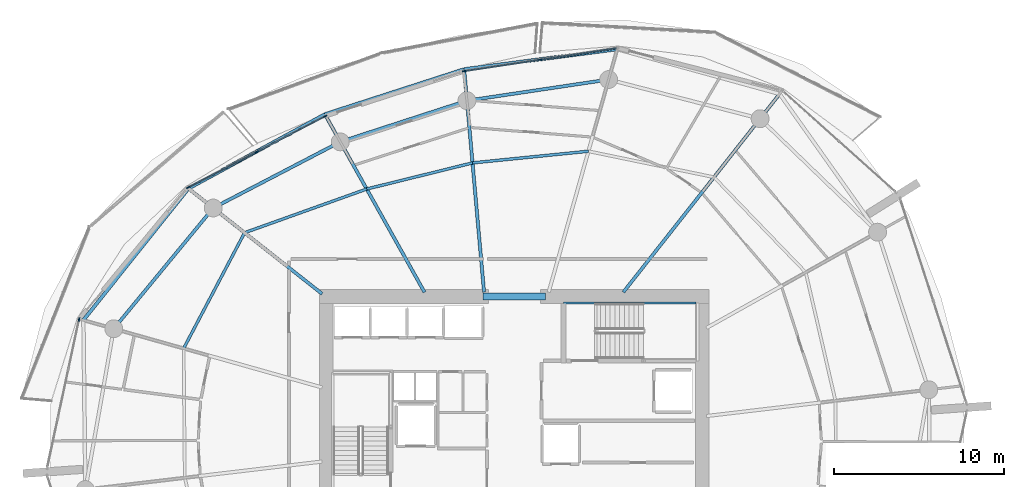
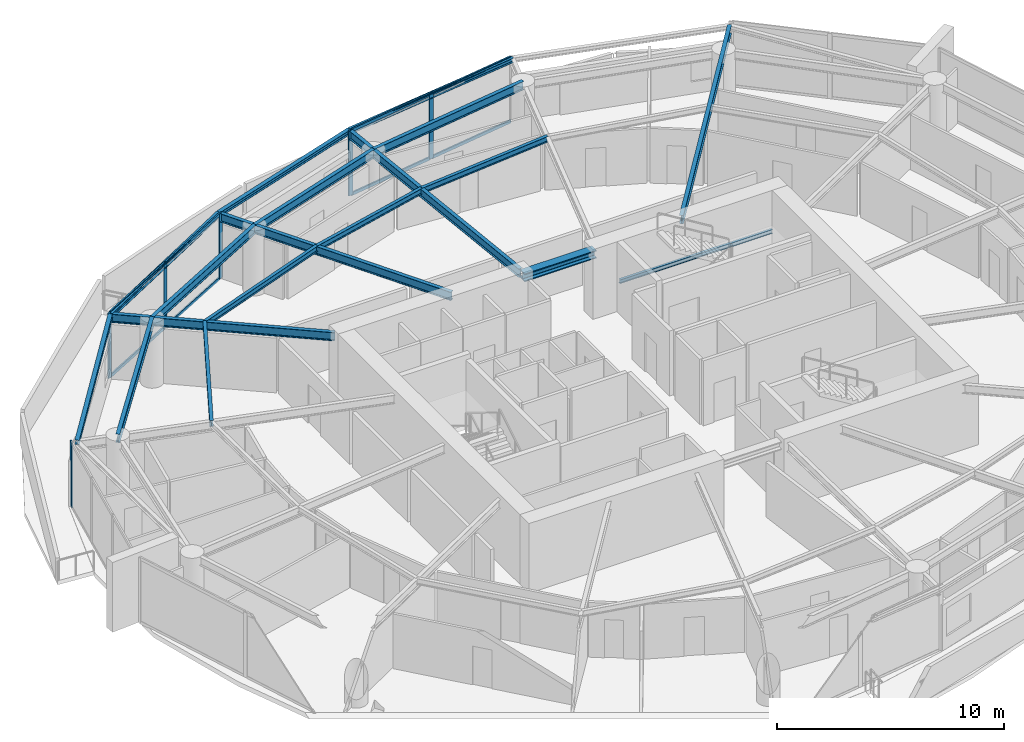
# One storey, part 8 of 20: 18 beams, 14 members, 3 elements without a shape of their own.
"""IFC4 building model written with IfcOpenShell, lengths in metres."""

from ifc_helpers import new_model, si_unit, direction, frame, origin, origin_2d, place, context, subcontext, project, spatial, rectangle, i_section, extrude, material, layer, layer_set, material_profile, profile_set, type_object, element, aggregate, save


model = new_model("IFC4")

# Units and contexts
model_context = context("Model", 3, precision=1e-05, world=origin(), true_north=direction((0.0, 1.0)))
body_context = subcontext(model_context, "Body", "Model", "MODEL_VIEW")
ifc_project = project(units=[si_unit("LENGTHUNIT", "METRE"), si_unit("AREAUNIT", "SQUARE_METRE"), si_unit("VOLUMEUNIT", "CUBIC_METRE"), si_unit("PLANEANGLEUNIT", "RADIAN"), si_unit("MASSUNIT", "GRAM", prefix="KILO")], contexts=[model_context])

# Site, building, storey
site_placement = place(None, origin())
site = spatial("IfcSite", under=ifc_project, at=site_placement, CompositionType="ELEMENT")
building_placement = place(site_placement, origin())
building = spatial("IfcBuilding", under=site, at=building_placement, Name="Kazma Halo Residences", CompositionType="ELEMENT")
storey_placement = place(building_placement, frame((0.0, 0.0, 146.550048828125)))
storey = spatial("IfcBuildingStorey", under=building, at=storey_placement, Name="L36", CompositionType="ELEMENT", Elevation=146.550048828125)

# Beams
ifc_material_1 = material(Name="Steel S355", Category="steel")
ifc_material_profile_1 = material_profile(ifc_material_1, i_section(OverallWidth=0.201904296875, OverallDepth=0.2470703125, WebThickness=0.00732421875, FlangeThickness=0.010986328125, FilletRadius=0.011962890625, at=origin_2d()), Name="W250x49.1")
ifc_profile_set_1 = profile_set([ifc_material_profile_1], Name="Steel S355")
beam_type_1 = type_object("IfcBeamType", Name="BM-BAL-CANT", PredefinedType="BEAM", material=ifc_profile_set_1)
beam_1_placement = place(storey_placement, frame((54.459228515625, 64.90234375, 3.37646484375), z_axis=(-0.991489228614, -0.130188745839, 0.0), x_axis=(0.130188745839, -0.991489228614, 0.0)))
element("IfcBeam", 1, at=beam_1_placement, inside=storey, type_object=beam_type_1, Name="L36 wave-balcony tie beam 03", PredefinedType="BEAM", context=body_context, shape_type="SweptSolid", body=[
    extrude(i_section(OverallWidth=0.201904296875, OverallDepth=0.2470703125, WebThickness=0.00732421875, FlangeThickness=0.010986328125, FilletRadius=0.011962890625, at=origin_2d()), origin(), (0.0, 0.0, 1.0), 9.053955078125),
])
beam_2_placement = place(storey_placement, frame((45.482421875, 63.7236328125, 3.37646484375), z_axis=(-0.951458235255, -0.307777885115, 0.0), x_axis=(0.307777885115, -0.951458235255, 0.0)))
element("IfcBeam", 2, at=beam_2_placement, inside=storey, type_object=beam_type_1, Name="L36 wave-balcony tie beam 04", PredefinedType="BEAM", context=body_context, shape_type="SweptSolid", body=[
    extrude(i_section(OverallWidth=0.201904296875, OverallDepth=0.2470703125, WebThickness=0.00732421875, FlangeThickness=0.010986328125, FilletRadius=0.011962890625, at=origin_2d()), origin(), (0.0, 0.0, 1.0), 8.585205078125),
])
beam_3_placement = place(storey_placement, frame((37.31396484375, 61.081298828125, 3.37646484375), z_axis=(-0.878572913315, -0.477608245312, 0.0), x_axis=(0.477608245312, -0.878572913315, 0.0)))
element("IfcBeam", 3, at=beam_3_placement, inside=storey, type_object=beam_type_1, Name="L36 wave-balcony tie beam 05", PredefinedType="BEAM", context=body_context, shape_type="SweptSolid", body=[
    extrude(i_section(OverallWidth=0.201904296875, OverallDepth=0.2470703125, WebThickness=0.00732421875, FlangeThickness=0.010986328125, FilletRadius=0.011962890625, at=origin_2d()), origin(), (0.0, 0.0, 1.0), 9.107177734375),
])
beam_4_placement = place(storey_placement, frame((29.312744140625, 56.731689453125, 3.37646484375), z_axis=(-0.623742400336, -0.781629975131, 0.0), x_axis=(0.781629975131, -0.623742400336, 0.0)))
element("IfcBeam", 4, at=beam_4_placement, inside=storey, type_object=beam_type_1, Name="L36 wave-balcony tie beam 06", PredefinedType="BEAM", context=body_context, shape_type="SweptSolid", body=[
    extrude(i_section(OverallWidth=0.201904296875, OverallDepth=0.2470703125, WebThickness=0.00732421875, FlangeThickness=0.010986328125, FilletRadius=0.011962890625, at=origin_2d()), origin(), (0.0, 0.0, 1.0), 9.880859375),
])
ifc_material_profile_2 = material_profile(ifc_material_1, i_section(OverallWidth=0.408935546875, OverallDepth=0.425048828125, WebThickness=0.03271484375, FlangeThickness=0.052490234375, FilletRadius=0.02001953125, at=origin_2d()), Name="W360x421")
ifc_profile_set_2 = profile_set([ifc_material_profile_2], Name="Steel S355")
beam_type_2 = type_object("IfcBeamType", Name="BM-CORE-W360H", PredefinedType="BEAM", material=ifc_profile_set_2)
beam_5_placement = place(storey_placement, frame((46.60009765625, 50.39990234375, 3.287353515625), z_axis=(1.0, 0.0, 0.0), x_axis=(0.0, 1.0, 0.0)))
element("IfcBeam", 5, at=beam_5_placement, inside=storey, type_object=beam_type_2, Name="L36 core coupling beam N", PredefinedType="BEAM", context=body_context, shape_type="SweptSolid", body=[
    extrude(i_section(OverallWidth=0.408935546875, OverallDepth=0.425048828125, WebThickness=0.03271484375, FlangeThickness=0.052490234375, FilletRadius=0.02001953125, at=origin_2d()), origin(), (0.0, 0.0, 1.0), 3.64990234375),
])
ifc_material_profile_3 = material_profile(ifc_material_1, i_section(OverallWidth=0.18994140625, OverallDepth=0.45703125, WebThickness=0.009033203125, FlangeThickness=0.014404296875, FilletRadius=0.01611328125, at=origin_2d()), Name="W460x74")
ifc_profile_set_3 = profile_set([ifc_material_profile_3], Name="Steel S355")
beam_type_3 = type_object("IfcBeamType", Name="BM-RAD-W460", PredefinedType="BEAM", material=ifc_profile_set_3)
beam_6_placement = place(storey_placement, frame((54.819091796875, 50.64990234375, 3.271484375), z_axis=(0.619094498239, 0.785316498139, 0.0), x_axis=(-0.785316498139, 0.619094498239, 0.0)))
element("IfcBeam", 6, at=beam_6_placement, inside=storey, type_object=beam_type_3, Name="L36 radial floor beam 02", PredefinedType="BEAM", context=body_context, shape_type="SweptSolid", body=[
    extrude(i_section(OverallWidth=0.18994140625, OverallDepth=0.45703125, WebThickness=0.009033203125, FlangeThickness=0.014404296875, FilletRadius=0.01611328125, at=origin_2d()), origin(), (0.0, 0.0, 1.0), 14.80517578125),
])
beam_7_placement = place(storey_placement, frame((46.64990234375, 50.64990234375, 3.271484375), z_axis=(-0.088945777727, 0.996036469525, 0.0), x_axis=(-0.996036469525, -0.088945777727, 0.0)))
element("IfcBeam", 7, at=beam_7_placement, inside=storey, type_object=beam_type_3, Name="L36 radial floor beam 04", PredefinedType="BEAM", context=body_context, shape_type="SweptSolid", body=[
    extrude(i_section(OverallWidth=0.18994140625, OverallDepth=0.45703125, WebThickness=0.009033203125, FlangeThickness=0.014404296875, FilletRadius=0.01611328125, at=origin_2d()), origin(), (0.0, 0.0, 1.0), 13.125732421875),
])
beam_8_placement = place(storey_placement, frame((43.15576171875, 50.64990234375, 3.271484375), z_axis=(-0.488617048735, 0.872498355119, 0.0), x_axis=(-0.872498355119, -0.488617048735, 0.0)))
element("IfcBeam", 8, at=beam_8_placement, inside=storey, type_object=beam_type_3, Name="L36 radial floor beam 05", PredefinedType="BEAM", context=body_context, shape_type="SweptSolid", body=[
    extrude(i_section(OverallWidth=0.18994140625, OverallDepth=0.45703125, WebThickness=0.009033203125, FlangeThickness=0.014404296875, FilletRadius=0.01611328125, at=origin_2d()), origin(), (0.0, 0.0, 1.0), 11.955810546875),
])
beam_9_placement = place(storey_placement, frame((37.14990234375, 50.553466796875, 3.271484375), z_axis=(-0.785321544409, 0.619088097032, 0.0), x_axis=(-0.619088097032, -0.785321544409, 0.0)))
element("IfcBeam", 9, at=beam_9_placement, inside=storey, type_object=beam_type_3, Name="L36 radial floor beam 06", PredefinedType="BEAM", context=body_context, shape_type="SweptSolid", body=[
    extrude(i_section(OverallWidth=0.18994140625, OverallDepth=0.45703125, WebThickness=0.009033203125, FlangeThickness=0.014404296875, FilletRadius=0.01611328125, at=origin_2d()), origin(), (0.0, 0.0, 1.0), 9.9794921875),
])
ifc_material_profile_4 = material_profile(ifc_material_1, i_section(OverallWidth=0.1650390625, OverallDepth=0.31005859375, WebThickness=0.005859375, FlangeThickness=0.009765625, FilletRadius=0.011962890625, at=origin_2d()), Name="W310x38.7")
ifc_profile_set_4 = profile_set([ifc_material_profile_4], Name="Steel S355")
beam_type_4 = type_object("IfcBeamType", Name="BM-SEC-W310B", PredefinedType="JOIST", material=ifc_profile_set_4)
beam_10_placement = place(storey_placement, frame((52.77099609375, 58.91650390625, 3.344970703125), z_axis=(-0.994979001613, -0.100083896557, 0.0), x_axis=(0.100083896557, -0.994979001613, 0.0)))
element("IfcBeam", 10, at=beam_10_placement, inside=storey, type_object=beam_type_4, Name="L36 circumferential floor joist 03", PredefinedType="JOIST", context=body_context, shape_type="SweptSolid", body=[
    extrude(i_section(OverallWidth=0.1650390625, OverallDepth=0.31005859375, WebThickness=0.005859375, FlangeThickness=0.009765625, FilletRadius=0.011962890625, at=origin_2d()), origin(), (0.0, 0.0, 1.0), 6.832763671875),
])
beam_11_placement = place(storey_placement, frame((45.97265625, 58.232666015625, 3.344970703125), z_axis=(-0.970830601663, -0.239766434004, 0.0), x_axis=(0.239766434004, -0.970830601663, 0.0)))
element("IfcBeam", 11, at=beam_11_placement, inside=storey, type_object=beam_type_4, Name="L36 circumferential floor joist 04", PredefinedType="JOIST", context=body_context, shape_type="SweptSolid", body=[
    extrude(i_section(OverallWidth=0.1650390625, OverallDepth=0.31005859375, WebThickness=0.005859375, FlangeThickness=0.009765625, FilletRadius=0.011962890625, at=origin_2d()), origin(), (0.0, 0.0, 1.0), 6.3916015625),
])
beam_12_placement = place(storey_placement, frame((39.767578125, 56.7001953125, 3.344970703125), z_axis=(-0.941534087973, -0.336917736525, 0.0), x_axis=(0.336917736525, -0.941534087973, 0.0)))
element("IfcBeam", 12, at=beam_12_placement, inside=storey, type_object=beam_type_4, Name="L36 circumferential floor joist 05", PredefinedType="JOIST", context=body_context, shape_type="SweptSolid", body=[
    extrude(i_section(OverallWidth=0.1650390625, OverallDepth=0.31005859375, WebThickness=0.005859375, FlangeThickness=0.009765625, FilletRadius=0.011962890625, at=origin_2d()), origin(), (0.0, 0.0, 1.0), 7.60791015625),
])
beam_13_placement = place(storey_placement, frame((32.6044921875, 54.136962890625, 3.344970703125), z_axis=(-0.466019257875, -0.884774576539, 0.0), x_axis=(0.884774576539, -0.466019257875, 0.0)))
element("IfcBeam", 13, at=beam_13_placement, inside=storey, type_object=beam_type_4, Name="L36 circumferential floor joist 06", PredefinedType="JOIST", context=body_context, shape_type="SweptSolid", body=[
    extrude(i_section(OverallWidth=0.1650390625, OverallDepth=0.31005859375, WebThickness=0.005859375, FlangeThickness=0.009765625, FilletRadius=0.011962890625, at=origin_2d()), origin(), (0.0, 0.0, 1.0), 7.670654296875),
])
ifc_material_profile_5 = material_profile(ifc_material_1, i_section(OverallWidth=0.18994140625, OverallDepth=0.45703125, WebThickness=0.009033203125, FlangeThickness=0.014404296875, FilletRadius=0.01611328125, at=origin_2d()), Name="W460x74")
ifc_profile_set_5 = profile_set([ifc_material_profile_5], Name="Steel S355")
beam_type_5 = type_object("IfcBeamType", Name="BM-SPN-W460", PredefinedType="BEAM", material=ifc_profile_set_5)
beam_14_placement = place(storey_placement, frame((53.95703125, 63.121826171875, 3.271484375), z_axis=(-0.989037147603, -0.147666924735, 0.0), x_axis=(0.147666924735, -0.989037147603, 0.0)))
element("IfcBeam", 14, at=beam_14_placement, inside=storey, type_object=beam_type_5, Name="L36 perimeter ring beam 03", PredefinedType="BEAM", context=body_context, shape_type="SweptSolid", body=[
    extrude(i_section(OverallWidth=0.18994140625, OverallDepth=0.45703125, WebThickness=0.009033203125, FlangeThickness=0.014404296875, FilletRadius=0.01611328125, at=origin_2d()), origin(), (0.0, 0.0, 1.0), 8.402099609375),
])
beam_15_placement = place(storey_placement, frame((45.64697265625, 61.881103515625, 3.271484375), z_axis=(-0.95105634578, -0.309017519167, 0.0), x_axis=(0.309017519167, -0.95105634578, 0.0)))
element("IfcBeam", 15, at=beam_15_placement, inside=storey, type_object=beam_type_5, Name="L36 perimeter ring beam 04", PredefinedType="BEAM", context=body_context, shape_type="SweptSolid", body=[
    extrude(i_section(OverallWidth=0.18994140625, OverallDepth=0.45703125, WebThickness=0.009033203125, FlangeThickness=0.014404296875, FilletRadius=0.01611328125, at=origin_2d()), origin(), (0.0, 0.0, 1.0), 7.811279296875),
])
beam_16_placement = place(storey_placement, frame((38.218017578125, 59.46728515625, 3.271484375), z_axis=(-0.886943099021, -0.461878706046, 0.0), x_axis=(0.461878706046, -0.886943099021, 0.0)))
element("IfcBeam", 16, at=beam_16_placement, inside=storey, type_object=beam_type_5, Name="L36 perimeter ring beam 05", PredefinedType="BEAM", context=body_context, shape_type="SweptSolid", body=[
    extrude(i_section(OverallWidth=0.18994140625, OverallDepth=0.45703125, WebThickness=0.009033203125, FlangeThickness=0.014404296875, FilletRadius=0.01611328125, at=origin_2d()), origin(), (0.0, 0.0, 1.0), 8.40234375),
])
beam_17_placement = place(storey_placement, frame((30.765625, 55.58642578125, 3.271484375), z_axis=(-0.636018723515, -0.771673624882, 0.0), x_axis=(0.771673624882, -0.636018723515, 0.0)))
element("IfcBeam", 17, at=beam_17_placement, inside=storey, type_object=beam_type_5, Name="L36 perimeter ring beam 06", PredefinedType="BEAM", context=body_context, shape_type="SweptSolid", body=[
    extrude(i_section(OverallWidth=0.18994140625, OverallDepth=0.45703125, WebThickness=0.009033203125, FlangeThickness=0.014404296875, FilletRadius=0.01611328125, at=origin_2d()), origin(), (0.0, 0.0, 1.0), 9.175048828125),
])
ifc_material_profile_6 = material_profile(ifc_material_1, i_section(OverallWidth=0.133056640625, OverallDepth=0.20703125, WebThickness=0.005859375, FlangeThickness=0.00830078125, FilletRadius=0.010009765625, at=origin_2d()), Name="W200x26.6")
ifc_profile_set_6 = profile_set([ifc_material_profile_6], Name="Steel S355")
beam_type_6 = type_object("IfcBeamType", Name="BM-TRIM-W200", PredefinedType="BEAM", material=ifc_profile_set_6)
beam_18_placement = place(storey_placement, frame((51.31005859375, 50.02001953125, 1.570068359375), z_axis=(1.0, 0.0, 0.0), x_axis=(0.0, 1.0, 0.0)))
element("IfcBeam", 18, at=beam_18_placement, inside=storey, type_object=beam_type_6, Name="L36 ST-02 landing north wall ledger", PredefinedType="BEAM", context=body_context, shape_type="SweptSolid", body=[
    extrude(i_section(OverallWidth=0.133056640625, OverallDepth=0.20703125, WebThickness=0.005859375, FlangeThickness=0.00830078125, FilletRadius=0.010009765625, at=origin_2d()), origin(), (0.0, 0.0, 1.0), 7.760009765625),
])

# Curtain wall, members
ifc_material_2 = material(Name="Aluminium AW-6063 T6 and Triple-Silver Low-E Glass", Category="aluminium")
ifc_layer = layer(ifc_material_2, 0.219970703125)
ifc_layer_set = layer_set([ifc_layer], Name="Aluminium AW-6063 T6 and Triple-Silver Low-E Glass")
curtain_wall_type = type_object("IfcCurtainWallType", Name="CW-SYS-4", PredefinedType="NOTDEFINED", material=ifc_layer_set)
curtain_wall_1_placement = place(storey_placement, origin())
curtain_wall_1 = element("IfcCurtainWall", 19, at=curtain_wall_1_placement, inside=storey, type_object=curtain_wall_type, Name="L36 unitised curtain wall B03", PredefinedType="NOTDEFINED")
ifc_material_3 = material(Name="Aluminium AW-6063 T6", Category="aluminium")
ifc_material_profile_7 = material_profile(ifc_material_3, rectangle(XDim=0.074951171875, YDim=0.219970703125, at=origin_2d()), Name="CWM-75x220")
ifc_profile_set_7 = profile_set([ifc_material_profile_7], Name="Aluminium AW-6063 T6")
member_type_1 = type_object("IfcMemberType", Name="CW-SYS-4-MUL", PredefinedType="MULLION", material=ifc_profile_set_7)
member_1_placement = place(storey_placement, frame((49.960205078125, 64.28857421875, 0.0), z_axis=(0.0, 0.0, 1.0), x_axis=(0.148821022686, -0.988864148004, 0.0)))
member_1 = element("IfcMember", 20, at=member_1_placement, type_object=member_type_1, Name="CWS-4 mullion 2", PredefinedType="MULLION", context=body_context, shape_type="SweptSolid", body=[
    extrude(rectangle(XDim=0.074951171875, YDim=0.219970703125, at=origin_2d()), origin(), (0.0, 0.0, 1.0), 3.5),
])
member_2_placement = place(storey_placement, frame((45.4794921875, 63.6142578125, 0.0), z_axis=(0.0, 0.0, 1.0), x_axis=(0.148821022686, -0.988864148004, 0.0)))
member_2 = element("IfcMember", 21, at=member_2_placement, type_object=member_type_1, Name="CWS-4 mullion 3", PredefinedType="MULLION", context=body_context, shape_type="SweptSolid", body=[
    extrude(rectangle(XDim=0.074951171875, YDim=0.219970703125, at=origin_2d()), origin(), (0.0, 0.0, 1.0), 3.5),
])

curtain_wall_2_placement = place(storey_placement, origin())
curtain_wall_2 = element("IfcCurtainWall", 22, at=curtain_wall_2_placement, inside=storey, type_object=curtain_wall_type, Name="L36 unitised curtain wall B05", PredefinedType="NOTDEFINED")
member_3_placement = place(storey_placement, frame((37.33447265625, 60.9677734375, 0.0), z_axis=(0.0, 0.0, 1.0), x_axis=(0.460837484552, -0.887484542306, 0.0)))
member_3 = element("IfcMember", 23, at=member_3_placement, type_object=member_type_1, Name="CWS-4 mullion 1", PredefinedType="MULLION", context=body_context, shape_type="SweptSolid", body=[
    extrude(rectangle(XDim=0.074951171875, YDim=0.219970703125, at=origin_2d()), origin(), (0.0, 0.0, 1.0), 3.5),
])
member_4_placement = place(storey_placement, frame((33.313232421875, 58.879638671875, 0.0), z_axis=(0.0, 0.0, 1.0), x_axis=(0.460837484552, -0.887484542306, 0.0)))
member_4 = element("IfcMember", 24, at=member_4_placement, type_object=member_type_1, Name="CWS-4 mullion 2", PredefinedType="MULLION", context=body_context, shape_type="SweptSolid", body=[
    extrude(rectangle(XDim=0.074951171875, YDim=0.219970703125, at=origin_2d()), origin(), (0.0, 0.0, 1.0), 3.5),
])
member_5_placement = place(storey_placement, frame((29.2919921875, 56.791748046875, 0.0), z_axis=(0.0, 0.0, 1.0), x_axis=(0.460837484552, -0.887484542306, 0.0)))
member_5 = element("IfcMember", 25, at=member_5_placement, type_object=member_type_1, Name="CWS-4 mullion 3", PredefinedType="MULLION", context=body_context, shape_type="SweptSolid", body=[
    extrude(rectangle(XDim=0.074951171875, YDim=0.219970703125, at=origin_2d()), origin(), (0.0, 0.0, 1.0), 3.5),
])

# Curtain wall, member
curtain_wall_3_placement = place(storey_placement, origin())
curtain_wall_3 = element("IfcCurtainWall", 26, at=curtain_wall_3_placement, inside=storey, type_object=curtain_wall_type, Name="L36 unitised curtain wall B07", PredefinedType="NOTDEFINED")
member_6_placement = place(storey_placement, frame((22.894775390625, 49.04150390625, 0.0), z_axis=(0.0, 0.0, 1.0), x_axis=(0.977764957684, -0.209703809037, 0.0)))
member_6 = element("IfcMember", 27, at=member_6_placement, type_object=member_type_1, Name="CWS-4 mullion 1", PredefinedType="MULLION", context=body_context, shape_type="SweptSolid", body=[
    extrude(rectangle(XDim=0.074951171875, YDim=0.219970703125, at=origin_2d()), origin(), (0.0, 0.0, 1.0), 3.5),
])
aggregate(curtain_wall_3, [member_6])

# Member
ifc_material_profile_8 = material_profile(ifc_material_3, rectangle(XDim=0.074951171875, YDim=0.1650390625, at=origin_2d()), Name="CWT-75x165")
ifc_profile_set_8 = profile_set([ifc_material_profile_8], Name="Aluminium AW-6063 T6")
member_type_2 = type_object("IfcMemberType", Name="CW-SYS-4-TRN", PredefinedType="USERDEFINED", material=ifc_profile_set_8)
member_7_placement = place(storey_placement, frame((54.403564453125, 64.957275390625, 0.037353515625), z_axis=(-0.988866721231, -0.148803923478, 0.0), x_axis=(0.148803923478, -0.988866721231, 0.0)))
member_7 = element("IfcMember", 28, at=member_7_placement, type_object=member_type_2, Name="CWS-4 transom 1.1", ObjectType="TRANSOM", PredefinedType="USERDEFINED", context=body_context, shape_type="SweptSolid", body=[
    extrude(rectangle(XDim=0.074951171875, YDim=0.1650390625, at=origin_2d()), origin(), (0.0, 0.0, 1.0), 4.4560546875),
])

member_8_placement = place(storey_placement, frame((54.403564453125, 64.957275390625, 3.46240234375), z_axis=(-0.988866721231, -0.148803923478, 0.0), x_axis=(0.148803923478, -0.988866721231, 0.0)))
member_8 = element("IfcMember", 29, at=member_8_placement, type_object=member_type_2, Name="CWS-4 transom 1.2", ObjectType="TRANSOM", PredefinedType="USERDEFINED", context=body_context, shape_type="SweptSolid", body=[
    extrude(rectangle(XDim=0.074951171875, YDim=0.1650390625, at=origin_2d()), origin(), (0.0, 0.0, 1.0), 4.4560546875),
])

member_9_placement = place(storey_placement, frame((49.923095703125, 64.282958984375, 0.037353515625), z_axis=(-0.988866721231, -0.148803923478, 0.0), x_axis=(0.148803923478, -0.988866721231, 0.0)))
member_9 = element("IfcMember", 30, at=member_9_placement, type_object=member_type_2, Name="CWS-4 transom 2.1", ObjectType="TRANSOM", PredefinedType="USERDEFINED", context=body_context, shape_type="SweptSolid", body=[
    extrude(rectangle(XDim=0.074951171875, YDim=0.1650390625, at=origin_2d()), origin(), (0.0, 0.0, 1.0), 4.4560546875),
])

member_10_placement = place(storey_placement, frame((49.923095703125, 64.282958984375, 3.46240234375), z_axis=(-0.988866721231, -0.148803923478, 0.0), x_axis=(0.148803923478, -0.988866721231, 0.0)))
member_10 = element("IfcMember", 31, at=member_10_placement, type_object=member_type_2, Name="CWS-4 transom 2.2", ObjectType="TRANSOM", PredefinedType="USERDEFINED", context=body_context, shape_type="SweptSolid", body=[
    extrude(rectangle(XDim=0.074951171875, YDim=0.1650390625, at=origin_2d()), origin(), (0.0, 0.0, 1.0), 4.4560546875),
])

aggregate(curtain_wall_1, [member_1, member_2, member_7, member_8, member_9, member_10])

member_11_placement = place(storey_placement, frame((37.30126953125, 60.950439453125, 0.037353515625), z_axis=(-0.887484872803, -0.460836848077, 0.0), x_axis=(0.460836848077, -0.887484872803, 0.0)))
member_11 = element("IfcMember", 32, at=member_11_placement, type_object=member_type_2, Name="CWS-4 transom 1.1", ObjectType="TRANSOM", PredefinedType="USERDEFINED", context=body_context, shape_type="SweptSolid", body=[
    extrude(rectangle(XDim=0.074951171875, YDim=0.1650390625, at=origin_2d()), origin(), (0.0, 0.0, 1.0), 4.4560546875),
])

member_12_placement = place(storey_placement, frame((37.30126953125, 60.950439453125, 3.46240234375), z_axis=(-0.887484872803, -0.460836848077, 0.0), x_axis=(0.460836848077, -0.887484872803, 0.0)))
member_12 = element("IfcMember", 33, at=member_12_placement, type_object=member_type_2, Name="CWS-4 transom 1.2", ObjectType="TRANSOM", PredefinedType="USERDEFINED", context=body_context, shape_type="SweptSolid", body=[
    extrude(rectangle(XDim=0.074951171875, YDim=0.1650390625, at=origin_2d()), origin(), (0.0, 0.0, 1.0), 4.4560546875),
])

member_13_placement = place(storey_placement, frame((33.280029296875, 58.862548828125, 0.037353515625), z_axis=(-0.887484872803, -0.460836848077, 0.0), x_axis=(0.460836848077, -0.887484872803, 0.0)))
member_13 = element("IfcMember", 34, at=member_13_placement, type_object=member_type_2, Name="CWS-4 transom 2.1", ObjectType="TRANSOM", PredefinedType="USERDEFINED", context=body_context, shape_type="SweptSolid", body=[
    extrude(rectangle(XDim=0.074951171875, YDim=0.1650390625, at=origin_2d()), origin(), (0.0, 0.0, 1.0), 4.4560546875),
])

member_14_placement = place(storey_placement, frame((33.280029296875, 58.862548828125, 3.46240234375), z_axis=(-0.887484872803, -0.460836848077, 0.0), x_axis=(0.460836848077, -0.887484872803, 0.0)))
member_14 = element("IfcMember", 35, at=member_14_placement, type_object=member_type_2, Name="CWS-4 transom 2.2", ObjectType="TRANSOM", PredefinedType="USERDEFINED", context=body_context, shape_type="SweptSolid", body=[
    extrude(rectangle(XDim=0.074951171875, YDim=0.1650390625, at=origin_2d()), origin(), (0.0, 0.0, 1.0), 4.4560546875),
])

aggregate(curtain_wall_2, [member_3, member_4, member_5, member_11, member_12, member_13, member_14])

save(model, "model.ifc")
